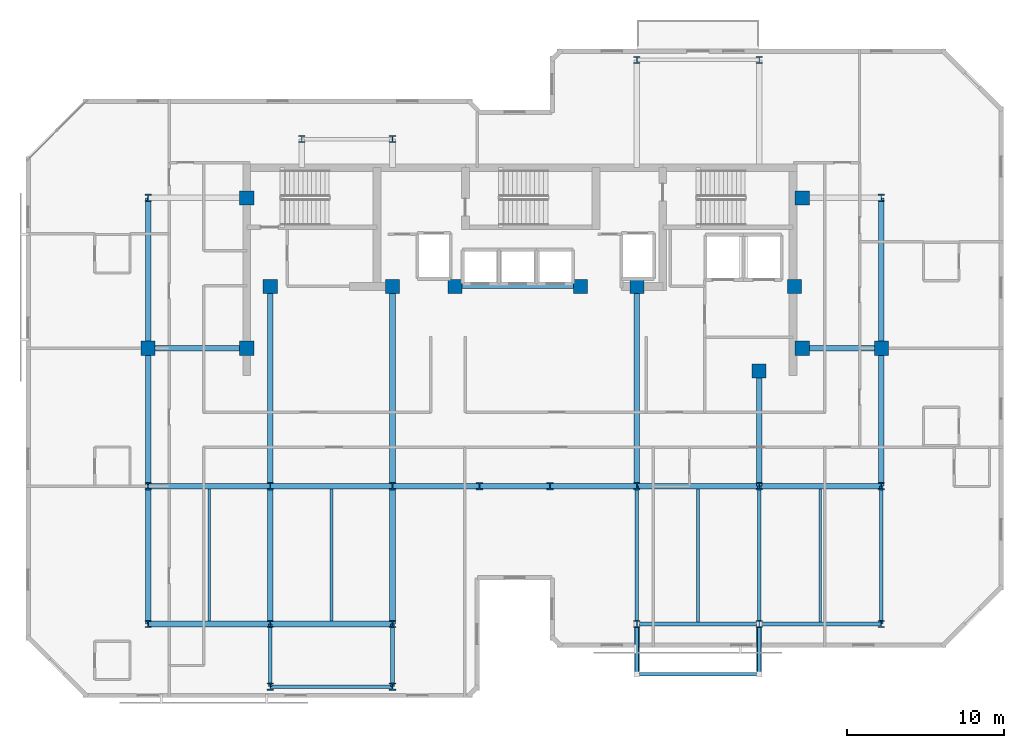
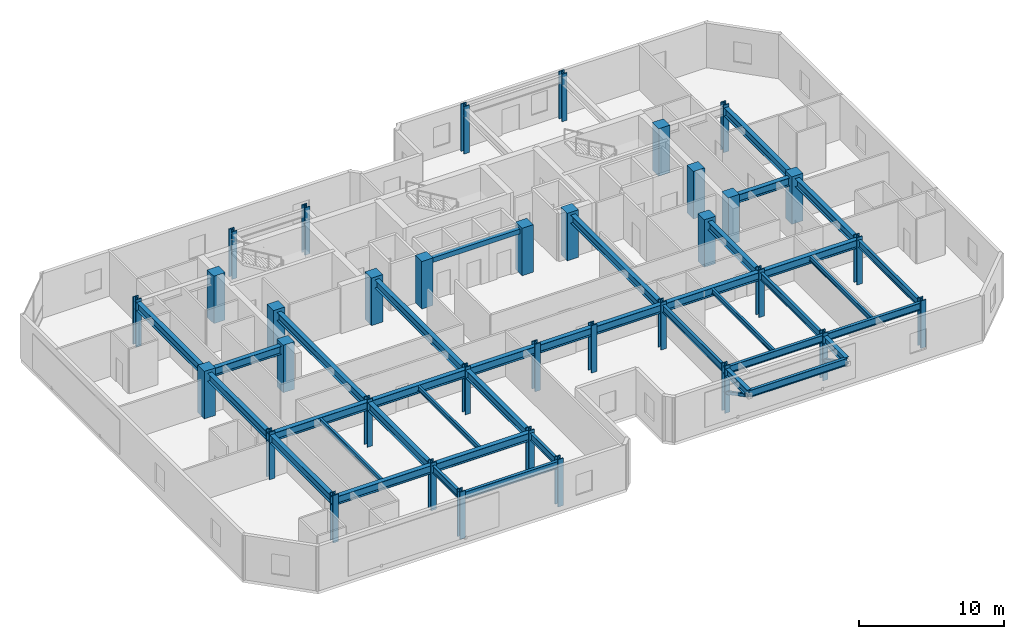
# One storey, part 1 of 10: 38 beams, 35 columns, 2 members.
"""IFC4 building model written with IfcOpenShell, lengths in metres."""

from ifc_helpers import new_model, si_unit, direction, frame, origin, origin_2d, place, context, subcontext, project, spatial, rectangle, hollow_rectangle, i_section, extrude, material, material_profile, profile_set, type_object, element, save


model = new_model("IFC4")

# Units and contexts
model_context = context("Model", 3, precision=1e-05, world=origin(), true_north=direction((0.0, 1.0)))
body_context = subcontext(model_context, "Body", "Model", "MODEL_VIEW")
ifc_project = project(units=[si_unit("LENGTHUNIT", "METRE"), si_unit("AREAUNIT", "SQUARE_METRE"), si_unit("VOLUMEUNIT", "CUBIC_METRE"), si_unit("PLANEANGLEUNIT", "RADIAN"), si_unit("MASSUNIT", "GRAM", prefix="KILO")], contexts=[model_context])

# Site, building, storey
site_placement = place(None, origin())
site = spatial("IfcSite", under=ifc_project, at=site_placement, CompositionType="ELEMENT")
building_placement = place(site_placement, origin())
building = spatial("IfcBuilding", under=site, at=building_placement, Name="Kestravale Grand Hotel", CompositionType="ELEMENT")
storey_placement = place(building_placement, frame((0.0, 0.0, 261.39990234375)))
storey = spatial("IfcBuildingStorey", under=building, at=storey_placement, Name="L65", CompositionType="ELEMENT", Elevation=261.39990234375)

# Columns
ifc_material_1 = material(Name="Concrete f'c 50 MPa", Category="concrete")
ifc_material_profile_1 = material_profile(ifc_material_1, rectangle(XDim=0.89990234375, YDim=0.89990234375, at=origin_2d()))
ifc_profile_set_1 = profile_set([ifc_material_profile_1], Name="Concrete f'c 50 MPa")
column_type_1 = type_object("IfcColumnType", Name="C-Z4-900", PredefinedType="COLUMN", material=ifc_profile_set_1)
for number, where, z_axis, x_axis, name in (
    (1, (15.60009765625, 28.800048828125, 0.0), (0.0, 0.0, 1.0), (1.0, 0.0, 0.0), "L65 column 3-E"),
    (2, (62.39990234375, 28.800048828125, 0.0), (0.0, 0.0, 1.0), (1.0, 0.0, 0.0), "L65 column 10-E"),
    (3, (21.89990234375, 28.800048828125, 0.0), (0.0, 0.0, 1.0), (1.0, 0.0, 0.0), "L65 column CW-E"),
    (4, (21.89990234375, 38.39990234375, 0.0), (0.0, 0.0, 1.0), (1.0, 0.0, 0.0), "L65 column CW-F"),
    (5, (57.35009765625, 28.800048828125, 0.0), (0.0, 0.0, 1.0), (1.0, 0.0, 0.0), "L65 column CE-E"),
    (6, (57.35009765625, 38.39990234375, 0.0), (0.0, 0.0, 1.0), (1.0, 0.0, 0.0), "L65 column CE-F"),
    (7, (23.39990234375, 32.75, 0.0), (0.0, 0.0, 1.0), (1.0, 0.0, 0.0), "L65 column 4-CS"),
    (8, (31.199951171875, 32.75, 0.0), (0.0, 0.0, 1.0), (1.0, 0.0, 0.0), "L65 column 5-CS"),
    (9, (35.199951171875, 32.75, 0.0), (0.0, 0.0, 1.0), (1.0, 0.0, 0.0), "L65 column 6C-CS"),
    (10, (43.199951171875, 32.75, 0.0), (0.0, 0.0, 1.0), (1.0, 0.0, 0.0), "L65 column 7C-CS"),
    (11, (46.800048828125, 32.75, 0.0), (0.0, 0.0, 1.0), (1.0, 0.0, 0.0), "L65 column 8-CS"),
    (12, (54.60009765625, 27.35009765625, 0.0), (0.0, 0.0, 1.0), (1.0, 0.0, 0.0), "L65 column 9-CS"),
    (13, (56.85009765625, 32.75, 0.0), (0.0, 0.0, 1.0), (1.0, 0.0, 0.0), "L65 column 9C-CS"),
):
    element("IfcColumn", number, at=place(storey_placement, frame(where, z_axis=z_axis, x_axis=x_axis)), inside=storey, type_object=column_type_1, Name=name, PredefinedType="COLUMN", context=body_context, shape_type="SweptSolid", body=[
        extrude(rectangle(XDim=0.89990234375, YDim=0.89990234375, at=origin_2d()), origin(), (0.0, 0.0, 1.0), 4.0),
    ])
ifc_material_2 = material(Name="Steel ASTM A992 Grade 50", Category="steel")
ifc_material_profile_2 = material_profile(ifc_material_2, i_section(OverallWidth=0.422119140625, OverallDepth=0.465087890625, WebThickness=0.044921875, FlangeThickness=0.072509765625, FilletRadius=0.0166015625, at=origin_2d()))
ifc_profile_set_2 = profile_set([ifc_material_profile_2], Name="Steel ASTM A992 Grade 50")
column_type_2 = type_object("IfcColumnType", Name="C-Z4-W14X398", PredefinedType="COLUMN", material=ifc_profile_set_2)
for number, where, z_axis, x_axis, name in (
    (14, (15.60009765625, 11.199951171875, 0.0), (0.0, 0.0, 1.0), (1.0, 0.0, 0.0), "L65 column 3-C"),
    (15, (15.60009765625, 20.0, 0.0), (0.0, 0.0, 1.0), (1.0, 0.0, 0.0), "L65 column 3-D"),
    (16, (15.60009765625, 38.39990234375, 0.0), (0.0, 0.0, 1.0), (1.0, 0.0, 0.0), "L65 column 3-F"),
    (17, (23.39990234375, 11.199951171875, 0.0), (0.0, 0.0, 1.0), (1.0, 0.0, 0.0), "L65 column 4-C"),
    (18, (23.39990234375, 20.0, 0.0), (0.0, 0.0, 1.0), (1.0, 0.0, 0.0), "L65 column 4-D"),
    (19, (31.199951171875, 11.199951171875, 0.0), (0.0, 0.0, 1.0), (1.0, 0.0, 0.0), "L65 column 5-C"),
    (20, (31.199951171875, 20.0, 0.0), (0.0, 0.0, 1.0), (1.0, 0.0, 0.0), "L65 column 5-D"),
    (21, (36.75, 20.0, 0.0), (0.0, 0.0, 1.0), (1.0, 0.0, 0.0), "L65 column 6-D"),
    (22, (41.25, 20.0, 0.0), (0.0, 0.0, 1.0), (1.0, 0.0, 0.0), "L65 column 7-D"),
    (23, (46.800048828125, 11.199951171875, 0.0), (0.0, 0.0, 1.0), (1.0, 0.0, 0.0), "L65 column 8-C"),
    (24, (46.800048828125, 20.0, 0.0), (0.0, 0.0, 1.0), (1.0, 0.0, 0.0), "L65 column 8-D"),
    (25, (46.800048828125, 47.199951171875, 0.0), (0.0, 0.0, 1.0), (1.0, 0.0, 0.0), "L65 column 8-G"),
    (26, (54.60009765625, 11.199951171875, 0.0), (0.0, 0.0, 1.0), (1.0, 0.0, 0.0), "L65 column 9-C"),
    (27, (54.60009765625, 20.0, 0.0), (0.0, 0.0, 1.0), (1.0, 0.0, 0.0), "L65 column 9-D"),
    (28, (54.60009765625, 47.199951171875, 0.0), (0.0, 0.0, 1.0), (1.0, 0.0, 0.0), "L65 column 9-G"),
    (29, (62.39990234375, 11.199951171875, 0.0), (0.0, 0.0, 1.0), (1.0, 0.0, 0.0), "L65 column 10-C"),
    (30, (62.39990234375, 20.0, 0.0), (0.0, 0.0, 1.0), (1.0, 0.0, 0.0), "L65 column 10-D"),
    (31, (62.39990234375, 38.39990234375, 0.0), (0.0, 0.0, 1.0), (1.0, 0.0, 0.0), "L65 column 10-F"),
    (32, (23.39990234375, 7.199951171875, 0.0), (0.0, 0.0, 1.0), (1.0, 0.0, 0.0), "L65 column 4-BS"),
    (33, (31.199951171875, 7.199951171875, 0.0), (0.0, 0.0, 1.0), (1.0, 0.0, 0.0), "L65 column 5-BS"),
    (34, (25.39990234375, 42.14990234375, 0.0), (0.0, 0.0, 1.0), (1.0, 0.0, 0.0), "L65 column 4-FN"),
    (35, (31.199951171875, 42.14990234375, 0.0), (0.0, 0.0, 1.0), (1.0, 0.0, 0.0), "L65 column 5-FN"),
):
    element("IfcColumn", number, at=place(storey_placement, frame(where, z_axis=z_axis, x_axis=x_axis)), inside=storey, type_object=column_type_2, Name=name, PredefinedType="COLUMN", context=body_context, shape_type="SweptSolid", body=[
        extrude(i_section(OverallWidth=0.422119140625, OverallDepth=0.465087890625, WebThickness=0.044921875, FlangeThickness=0.072509765625, FilletRadius=0.0166015625, at=origin_2d()), origin(), (0.0, 0.0, 1.0), 4.0),
    ])

# Beams
ifc_material_3 = material(Name="Steel ASTM A992 Grade 50", Category="steel")
ifc_material_profile_3 = material_profile(ifc_material_3, i_section(OverallWidth=0.177978515625, OverallDepth=0.404052734375, WebThickness=0.007568359375, FlangeThickness=0.010986328125, FilletRadius=0.01416015625, at=origin_2d()))
ifc_profile_set_3 = profile_set([ifc_material_profile_3], Name="Steel ASTM A992 Grade 50")
beam_type_1 = type_object("IfcBeamType", Name="B-FLR-JST16", PredefinedType="JOIST", material=ifc_profile_set_3)
for number, where, z_axis, x_axis, name in (
    (36, (19.5, 11.3779296875, 3.55810546875), (0.0, 1.0, 0.0), (-1.0, 0.0, 0.0), "L65 floor joist 3-4/C-D #1"),
    (37, (27.300048828125, 11.3779296875, 3.55810546875), (0.0, 1.0, 0.0), (-1.0, 0.0, 0.0), "L65 floor joist 4-5/C-D #1"),
):
    element("IfcBeam", number, at=place(storey_placement, frame(where, z_axis=z_axis, x_axis=x_axis)), inside=storey, type_object=beam_type_1, Name=name, PredefinedType="JOIST", context=body_context, shape_type="SweptSolid", body=[
        extrude(i_section(OverallWidth=0.177978515625, OverallDepth=0.404052734375, WebThickness=0.007568359375, FlangeThickness=0.010986328125, FilletRadius=0.01416015625, at=origin_2d()), origin(), (0.0, 0.0, 1.0), 8.444091796875),
    ])
for number, where, z_axis, x_axis, name in (
    (38, (50.699951171875, 11.314453125, 3.55810546875), (0.0, 1.0, 0.0), (-1.0, 0.0, 0.0), "L65 floor joist 8-9/C-D #1"),
    (39, (58.5, 11.314453125, 3.55810546875), (0.0, 1.0, 0.0), (-1.0, 0.0, 0.0), "L65 floor joist 9-10/C-D #1"),
):
    element("IfcBeam", number, at=place(storey_placement, frame(where, z_axis=z_axis, x_axis=x_axis)), inside=storey, type_object=beam_type_1, Name=name, PredefinedType="JOIST", context=body_context, shape_type="SweptSolid", body=[
        extrude(i_section(OverallWidth=0.177978515625, OverallDepth=0.404052734375, WebThickness=0.007568359375, FlangeThickness=0.010986328125, FilletRadius=0.01416015625, at=origin_2d()), origin(), (0.0, 0.0, 1.0), 8.507568359375),
    ])
ifc_material_4 = material(Name="Concrete f'c 45 MPa", Category="concrete")
ifc_material_profile_4 = material_profile(ifc_material_4, rectangle(XDim=0.300048828125, YDim=0.39990234375, at=origin_2d()))
ifc_profile_set_4 = profile_set([ifc_material_profile_4], Name="Concrete f'c 45 MPa")
beam_type_2 = type_object("IfcBeamType", Name="B-FLR-LNT400", PredefinedType="LINTEL", material=ifc_profile_set_4)
beam_1_placement = place(storey_placement, frame((35.199951171875, 32.75, 3.56005859375), z_axis=(1.0, 0.0, 0.0), x_axis=(0.0, 1.0, 0.0)))
element("IfcBeam", 40, at=beam_1_placement, inside=storey, type_object=beam_type_2, Name="L65 core portal header lintel", PredefinedType="LINTEL", context=body_context, shape_type="SweptSolid", body=[
    extrude(rectangle(XDim=0.300048828125, YDim=0.39990234375, at=origin_2d()), origin(), (0.0, 0.0, 1.0), 8.0),
])
ifc_material_5 = material(Name="Steel ASTM A992 Grade 50", Category="steel")
ifc_material_profile_5 = material_profile(ifc_material_5, i_section(OverallWidth=0.324951171875, OverallDepth=0.612060546875, WebThickness=0.0126953125, FlangeThickness=0.01904296875, FilletRadius=0.018798828125, at=origin_2d()))
ifc_profile_set_5 = profile_set([ifc_material_profile_5], Name="Steel ASTM A992 Grade 50")
beam_type_3 = type_object("IfcBeamType", Name="B-FLR-W24A", PredefinedType="SPANDREL", material=ifc_profile_set_5)
for number, where, z_axis, x_axis, name in (
    (41, (46.800048828125, 11.199951171875, 3.424072265625), (0.0, -1.0, 0.0), (1.0, 0.0, 0.0), "L66 terrace cantilever beam 1"),
    (42, (54.60009765625, 11.199951171875, 3.424072265625), (0.0, -1.0, 0.0), (1.0, 0.0, 0.0), "L66 terrace cantilever beam 2"),
):
    element("IfcBeam", number, at=place(storey_placement, frame(where, z_axis=z_axis, x_axis=x_axis)), inside=storey, type_object=beam_type_3, Name=name, PredefinedType="SPANDREL", context=body_context, shape_type="SweptSolid", body=[
        extrude(i_section(OverallWidth=0.324951171875, OverallDepth=0.612060546875, WebThickness=0.0126953125, FlangeThickness=0.01904296875, FilletRadius=0.018798828125, at=origin_2d()), origin(), (0.0, 0.0, 1.0), 3.199951171875),
    ])
ifc_material_6 = material(Name="Steel ASTM A992 Grade 50", Category="steel")
ifc_material_profile_6 = material_profile(ifc_material_6, i_section(OverallWidth=0.22900390625, OverallDepth=0.612060546875, WebThickness=0.011962890625, FlangeThickness=0.01953125, FilletRadius=0.019287109375, at=origin_2d()))
ifc_profile_set_6 = profile_set([ifc_material_profile_6], Name="Steel ASTM A992 Grade 50")
beam_type_4 = type_object("IfcBeamType", Name="B-FLR-W24B", PredefinedType="SPANDREL", material=ifc_profile_set_6)
beam_2_placement = place(storey_placement, frame((46.800048828125, 11.199951171875, 3.4541015625), z_axis=(1.0, 0.0, 0.0), x_axis=(0.0, 1.0, 0.0)))
element("IfcBeam", 43, at=beam_2_placement, inside=storey, type_object=beam_type_4, Name="L65 spandrel C:8-9", PredefinedType="SPANDREL", context=body_context, shape_type="SweptSolid", body=[
    extrude(i_section(OverallWidth=0.22900390625, OverallDepth=0.612060546875, WebThickness=0.011962890625, FlangeThickness=0.01953125, FilletRadius=0.019287109375, at=origin_2d()), origin(), (0.0, 0.0, 1.0), 7.800048828125),
])
beam_3_placement = place(storey_placement, frame((54.60009765625, 11.199951171875, 3.4541015625), z_axis=(1.0, 0.0, 0.0), x_axis=(0.0, 1.0, 0.0)))
element("IfcBeam", 44, at=beam_3_placement, inside=storey, type_object=beam_type_4, Name="L65 spandrel C:9-10", PredefinedType="SPANDREL", context=body_context, shape_type="SweptSolid", body=[
    extrude(i_section(OverallWidth=0.22900390625, OverallDepth=0.612060546875, WebThickness=0.011962890625, FlangeThickness=0.01953125, FilletRadius=0.019287109375, at=origin_2d()), origin(), (0.0, 0.0, 1.0), 7.7998046875),
])
beam_4_placement = place(storey_placement, frame((23.39990234375, 7.199951171875, 3.4541015625), z_axis=(1.0, 0.0, 0.0), x_axis=(0.0, 1.0, 0.0)))
element("IfcBeam", 45, at=beam_4_placement, inside=storey, type_object=beam_type_4, Name="L65 perimeter tie spandrel BS:4-5", PredefinedType="SPANDREL", context=body_context, shape_type="SweptSolid", body=[
    extrude(i_section(OverallWidth=0.22900390625, OverallDepth=0.612060546875, WebThickness=0.011962890625, FlangeThickness=0.01953125, FilletRadius=0.019287109375, at=origin_2d()), origin(), (0.0, 0.0, 1.0), 7.800048828125),
])
for number, where, z_axis, x_axis, name in (
    (46, (23.39990234375, 7.199951171875, 3.4541015625), (0.0, 1.0, 0.0), (-1.0, 0.0, 0.0), "L65 spandrel 4:BS-C"),
    (47, (31.199951171875, 7.199951171875, 3.4541015625), (0.0, 1.0, 0.0), (-1.0, 0.0, 0.0), "L65 spandrel 5:BS-C"),
):
    element("IfcBeam", number, at=place(storey_placement, frame(where, z_axis=z_axis, x_axis=x_axis)), inside=storey, type_object=beam_type_4, Name=name, PredefinedType="SPANDREL", context=body_context, shape_type="SweptSolid", body=[
        extrude(i_section(OverallWidth=0.22900390625, OverallDepth=0.612060546875, WebThickness=0.011962890625, FlangeThickness=0.01953125, FilletRadius=0.019287109375, at=origin_2d()), origin(), (0.0, 0.0, 1.0), 4.0),
    ])
for number, where, z_axis, x_axis, name in (
    (48, (46.800048828125, 11.199951171875, 3.4541015625), (0.0, 1.0, 0.0), (-1.0, 0.0, 0.0), "L65 spandrel 8:C-D"),
    (49, (54.60009765625, 11.199951171875, 3.4541015625), (0.0, 1.0, 0.0), (-1.0, 0.0, 0.0), "L65 spandrel 9:C-D"),
    (50, (62.39990234375, 11.199951171875, 3.4541015625), (0.0, 1.0, 0.0), (-1.0, 0.0, 0.0), "L65 spandrel 10:C-D"),
):
    element("IfcBeam", number, at=place(storey_placement, frame(where, z_axis=z_axis, x_axis=x_axis)), inside=storey, type_object=beam_type_4, Name=name, PredefinedType="SPANDREL", context=body_context, shape_type="SweptSolid", body=[
        extrude(i_section(OverallWidth=0.22900390625, OverallDepth=0.612060546875, WebThickness=0.011962890625, FlangeThickness=0.01953125, FilletRadius=0.019287109375, at=origin_2d()), origin(), (0.0, 0.0, 1.0), 8.800048828125),
    ])
beam_5_placement = place(storey_placement, frame((46.800048828125, 8.0, 3.424072265625), z_axis=(1.0, 0.0, 0.0), x_axis=(0.0, 1.0, 0.0)))
element("IfcBeam", 51, at=beam_5_placement, inside=storey, type_object=beam_type_4, Name="L66 terrace edge spandrel", PredefinedType="SPANDREL", context=body_context, shape_type="SweptSolid", body=[
    extrude(i_section(OverallWidth=0.22900390625, OverallDepth=0.612060546875, WebThickness=0.011962890625, FlangeThickness=0.01953125, FilletRadius=0.019287109375, at=origin_2d()), origin(), (0.0, 0.0, 1.0), 7.800048828125),
])
ifc_material_7 = material(Name="Steel ASTM A992 Grade 50", Category="steel")
ifc_material_profile_7 = material_profile(ifc_material_7, i_section(OverallWidth=0.35595703125, OverallDepth=0.696044921875, WebThickness=0.015380859375, FlangeThickness=0.02490234375, FilletRadius=0.021240234375, at=origin_2d()))
ifc_profile_set_7 = profile_set([ifc_material_profile_7], Name="Steel ASTM A992 Grade 50")
beam_type_5 = type_object("IfcBeamType", Name="B-GRD-W27", PredefinedType="BEAM", material=ifc_profile_set_7)
beam_6_placement = place(storey_placement, frame((15.60009765625, 11.199951171875, 3.412109375), z_axis=(1.0, 0.0, 0.0), x_axis=(0.0, 1.0, 0.0)))
element("IfcBeam", 52, at=beam_6_placement, inside=storey, type_object=beam_type_5, Name="L65 girder C:3-4", PredefinedType="BEAM", context=body_context, shape_type="SweptSolid", body=[
    extrude(i_section(OverallWidth=0.35595703125, OverallDepth=0.696044921875, WebThickness=0.015380859375, FlangeThickness=0.02490234375, FilletRadius=0.021240234375, at=origin_2d()), origin(), (0.0, 0.0, 1.0), 7.7998046875),
])
beam_7_placement = place(storey_placement, frame((23.39990234375, 11.199951171875, 3.412109375), z_axis=(1.0, 0.0, 0.0), x_axis=(0.0, 1.0, 0.0)))
element("IfcBeam", 53, at=beam_7_placement, inside=storey, type_object=beam_type_5, Name="L65 girder C:4-5", PredefinedType="BEAM", context=body_context, shape_type="SweptSolid", body=[
    extrude(i_section(OverallWidth=0.35595703125, OverallDepth=0.696044921875, WebThickness=0.015380859375, FlangeThickness=0.02490234375, FilletRadius=0.021240234375, at=origin_2d()), origin(), (0.0, 0.0, 1.0), 7.800048828125),
])
beam_8_placement = place(storey_placement, frame((15.60009765625, 20.0, 3.412109375), z_axis=(1.0, 0.0, 0.0), x_axis=(0.0, 1.0, 0.0)))
element("IfcBeam", 54, at=beam_8_placement, inside=storey, type_object=beam_type_5, Name="L65 girder D:3-4", PredefinedType="BEAM", context=body_context, shape_type="SweptSolid", body=[
    extrude(i_section(OverallWidth=0.35595703125, OverallDepth=0.696044921875, WebThickness=0.015380859375, FlangeThickness=0.02490234375, FilletRadius=0.021240234375, at=origin_2d()), origin(), (0.0, 0.0, 1.0), 7.7998046875),
])
beam_9_placement = place(storey_placement, frame((23.39990234375, 20.0, 3.412109375), z_axis=(1.0, 0.0, 0.0), x_axis=(0.0, 1.0, 0.0)))
element("IfcBeam", 55, at=beam_9_placement, inside=storey, type_object=beam_type_5, Name="L65 girder D:4-5", PredefinedType="BEAM", context=body_context, shape_type="SweptSolid", body=[
    extrude(i_section(OverallWidth=0.35595703125, OverallDepth=0.696044921875, WebThickness=0.015380859375, FlangeThickness=0.02490234375, FilletRadius=0.021240234375, at=origin_2d()), origin(), (0.0, 0.0, 1.0), 7.800048828125),
])
beam_10_placement = place(storey_placement, frame((31.199951171875, 20.0, 3.412109375), z_axis=(1.0, 0.0, 0.0), x_axis=(0.0, 1.0, 0.0)))
element("IfcBeam", 56, at=beam_10_placement, inside=storey, type_object=beam_type_5, Name="L65 girder D:5-6", PredefinedType="BEAM", context=body_context, shape_type="SweptSolid", body=[
    extrude(i_section(OverallWidth=0.35595703125, OverallDepth=0.696044921875, WebThickness=0.015380859375, FlangeThickness=0.02490234375, FilletRadius=0.021240234375, at=origin_2d()), origin(), (0.0, 0.0, 1.0), 5.550048828125),
])
beam_11_placement = place(storey_placement, frame((36.75, 20.0, 3.412109375), z_axis=(1.0, 0.0, 0.0), x_axis=(0.0, 1.0, 0.0)))
element("IfcBeam", 57, at=beam_11_placement, inside=storey, type_object=beam_type_5, Name="L65 girder D:6-7", PredefinedType="BEAM", context=body_context, shape_type="SweptSolid", body=[
    extrude(i_section(OverallWidth=0.35595703125, OverallDepth=0.696044921875, WebThickness=0.015380859375, FlangeThickness=0.02490234375, FilletRadius=0.021240234375, at=origin_2d()), origin(), (0.0, 0.0, 1.0), 4.5),
])
beam_12_placement = place(storey_placement, frame((41.25, 20.0, 3.412109375), z_axis=(1.0, 0.0, 0.0), x_axis=(0.0, 1.0, 0.0)))
element("IfcBeam", 58, at=beam_12_placement, inside=storey, type_object=beam_type_5, Name="L65 girder D:7-8", PredefinedType="BEAM", context=body_context, shape_type="SweptSolid", body=[
    extrude(i_section(OverallWidth=0.35595703125, OverallDepth=0.696044921875, WebThickness=0.015380859375, FlangeThickness=0.02490234375, FilletRadius=0.021240234375, at=origin_2d()), origin(), (0.0, 0.0, 1.0), 5.550048828125),
])
beam_13_placement = place(storey_placement, frame((46.800048828125, 20.0, 3.412109375), z_axis=(1.0, 0.0, 0.0), x_axis=(0.0, 1.0, 0.0)))
element("IfcBeam", 59, at=beam_13_placement, inside=storey, type_object=beam_type_5, Name="L65 girder D:8-9", PredefinedType="BEAM", context=body_context, shape_type="SweptSolid", body=[
    extrude(i_section(OverallWidth=0.35595703125, OverallDepth=0.696044921875, WebThickness=0.015380859375, FlangeThickness=0.02490234375, FilletRadius=0.021240234375, at=origin_2d()), origin(), (0.0, 0.0, 1.0), 7.800048828125),
])
beam_14_placement = place(storey_placement, frame((54.60009765625, 20.0, 3.412109375), z_axis=(1.0, 0.0, 0.0), x_axis=(0.0, 1.0, 0.0)))
element("IfcBeam", 60, at=beam_14_placement, inside=storey, type_object=beam_type_5, Name="L65 girder D:9-10", PredefinedType="BEAM", context=body_context, shape_type="SweptSolid", body=[
    extrude(i_section(OverallWidth=0.35595703125, OverallDepth=0.696044921875, WebThickness=0.015380859375, FlangeThickness=0.02490234375, FilletRadius=0.021240234375, at=origin_2d()), origin(), (0.0, 0.0, 1.0), 7.7998046875),
])
beam_15_placement = place(storey_placement, frame((15.60009765625, 28.800048828125, 3.412109375), z_axis=(1.0, 0.0, 0.0), x_axis=(0.0, 1.0, 0.0)))
element("IfcBeam", 61, at=beam_15_placement, inside=storey, type_object=beam_type_5, Name="L65 girder E:3-CW", PredefinedType="BEAM", context=body_context, shape_type="SweptSolid", body=[
    extrude(i_section(OverallWidth=0.35595703125, OverallDepth=0.696044921875, WebThickness=0.015380859375, FlangeThickness=0.02490234375, FilletRadius=0.021240234375, at=origin_2d()), origin(), (0.0, 0.0, 1.0), 6.2998046875),
])
beam_16_placement = place(storey_placement, frame((57.35009765625, 28.800048828125, 3.412109375), z_axis=(1.0, 0.0, 0.0), x_axis=(0.0, 1.0, 0.0)))
element("IfcBeam", 62, at=beam_16_placement, inside=storey, type_object=beam_type_5, Name="L65 girder E:CE-10", PredefinedType="BEAM", context=body_context, shape_type="SweptSolid", body=[
    extrude(i_section(OverallWidth=0.35595703125, OverallDepth=0.696044921875, WebThickness=0.015380859375, FlangeThickness=0.02490234375, FilletRadius=0.021240234375, at=origin_2d()), origin(), (0.0, 0.0, 1.0), 5.0498046875),
])
for number, where, z_axis, x_axis, name in (
    (63, (15.60009765625, 11.199951171875, 3.412109375), (0.0, 1.0, 0.0), (-1.0, 0.0, 0.0), "L65 girder 3:C-D"),
    (64, (15.60009765625, 20.0, 3.412109375), (0.0, 1.0, 0.0), (-1.0, 0.0, 0.0), "L65 girder 3:D-E"),
):
    element("IfcBeam", number, at=place(storey_placement, frame(where, z_axis=z_axis, x_axis=x_axis)), inside=storey, type_object=beam_type_5, Name=name, PredefinedType="BEAM", context=body_context, shape_type="SweptSolid", body=[
        extrude(i_section(OverallWidth=0.35595703125, OverallDepth=0.696044921875, WebThickness=0.015380859375, FlangeThickness=0.02490234375, FilletRadius=0.021240234375, at=origin_2d()), origin(), (0.0, 0.0, 1.0), 8.800048828125),
    ])
beam_17_placement = place(storey_placement, frame((15.60009765625, 28.800048828125, 3.412109375), z_axis=(0.0, 1.0, 0.0), x_axis=(-1.0, 0.0, 0.0)))
element("IfcBeam", 65, at=beam_17_placement, inside=storey, type_object=beam_type_5, Name="L65 girder 3:E-F", PredefinedType="BEAM", context=body_context, shape_type="SweptSolid", body=[
    extrude(i_section(OverallWidth=0.35595703125, OverallDepth=0.696044921875, WebThickness=0.015380859375, FlangeThickness=0.02490234375, FilletRadius=0.021240234375, at=origin_2d()), origin(), (0.0, 0.0, 1.0), 9.599853515625),
])
beam_18_placement = place(storey_placement, frame((23.39990234375, 11.199951171875, 3.412109375), z_axis=(0.0, 1.0, 0.0), x_axis=(-1.0, 0.0, 0.0)))
element("IfcBeam", 66, at=beam_18_placement, inside=storey, type_object=beam_type_5, Name="L65 girder 4:C-D", PredefinedType="BEAM", context=body_context, shape_type="SweptSolid", body=[
    extrude(i_section(OverallWidth=0.35595703125, OverallDepth=0.696044921875, WebThickness=0.015380859375, FlangeThickness=0.02490234375, FilletRadius=0.021240234375, at=origin_2d()), origin(), (0.0, 0.0, 1.0), 8.800048828125),
])
beam_19_placement = place(storey_placement, frame((23.39990234375, 20.0, 3.412109375), z_axis=(0.0, 1.0, 0.0), x_axis=(-1.0, 0.0, 0.0)))
element("IfcBeam", 67, at=beam_19_placement, inside=storey, type_object=beam_type_5, Name="L65 girder 4:D-CS", PredefinedType="BEAM", context=body_context, shape_type="SweptSolid", body=[
    extrude(i_section(OverallWidth=0.35595703125, OverallDepth=0.696044921875, WebThickness=0.015380859375, FlangeThickness=0.02490234375, FilletRadius=0.021240234375, at=origin_2d()), origin(), (0.0, 0.0, 1.0), 12.75),
])
beam_20_placement = place(storey_placement, frame((31.199951171875, 11.199951171875, 3.412109375), z_axis=(0.0, 1.0, 0.0), x_axis=(-1.0, 0.0, 0.0)))
element("IfcBeam", 68, at=beam_20_placement, inside=storey, type_object=beam_type_5, Name="L65 girder 5:C-D", PredefinedType="BEAM", context=body_context, shape_type="SweptSolid", body=[
    extrude(i_section(OverallWidth=0.35595703125, OverallDepth=0.696044921875, WebThickness=0.015380859375, FlangeThickness=0.02490234375, FilletRadius=0.021240234375, at=origin_2d()), origin(), (0.0, 0.0, 1.0), 8.800048828125),
])
for number, where, z_axis, x_axis, name in (
    (69, (31.199951171875, 20.0, 3.412109375), (0.0, 1.0, 0.0), (-1.0, 0.0, 0.0), "L65 girder 5:D-CS"),
    (70, (46.800048828125, 20.0, 3.412109375), (0.0, 1.0, 0.0), (-1.0, 0.0, 0.0), "L65 girder 8:D-CS"),
):
    element("IfcBeam", number, at=place(storey_placement, frame(where, z_axis=z_axis, x_axis=x_axis)), inside=storey, type_object=beam_type_5, Name=name, PredefinedType="BEAM", context=body_context, shape_type="SweptSolid", body=[
        extrude(i_section(OverallWidth=0.35595703125, OverallDepth=0.696044921875, WebThickness=0.015380859375, FlangeThickness=0.02490234375, FilletRadius=0.021240234375, at=origin_2d()), origin(), (0.0, 0.0, 1.0), 12.75),
    ])
beam_21_placement = place(storey_placement, frame((54.60009765625, 20.0, 3.412109375), z_axis=(0.0, 1.0, 0.0), x_axis=(-1.0, 0.0, 0.0)))
element("IfcBeam", 71, at=beam_21_placement, inside=storey, type_object=beam_type_5, Name="L65 girder 9:D-CS", PredefinedType="BEAM", context=body_context, shape_type="SweptSolid", body=[
    extrude(i_section(OverallWidth=0.35595703125, OverallDepth=0.696044921875, WebThickness=0.015380859375, FlangeThickness=0.02490234375, FilletRadius=0.021240234375, at=origin_2d()), origin(), (0.0, 0.0, 1.0), 7.35009765625),
])
beam_22_placement = place(storey_placement, frame((62.39990234375, 20.0, 3.412109375), z_axis=(0.0, 1.0, 0.0), x_axis=(-1.0, 0.0, 0.0)))
element("IfcBeam", 72, at=beam_22_placement, inside=storey, type_object=beam_type_5, Name="L65 girder 10:D-E", PredefinedType="BEAM", context=body_context, shape_type="SweptSolid", body=[
    extrude(i_section(OverallWidth=0.35595703125, OverallDepth=0.696044921875, WebThickness=0.015380859375, FlangeThickness=0.02490234375, FilletRadius=0.021240234375, at=origin_2d()), origin(), (0.0, 0.0, 1.0), 8.800048828125),
])
beam_23_placement = place(storey_placement, frame((62.39990234375, 28.800048828125, 3.412109375), z_axis=(0.0, 1.0, 0.0), x_axis=(-1.0, 0.0, 0.0)))
element("IfcBeam", 73, at=beam_23_placement, inside=storey, type_object=beam_type_5, Name="L65 girder 10:E-F", PredefinedType="BEAM", context=body_context, shape_type="SweptSolid", body=[
    extrude(i_section(OverallWidth=0.35595703125, OverallDepth=0.696044921875, WebThickness=0.015380859375, FlangeThickness=0.02490234375, FilletRadius=0.021240234375, at=origin_2d()), origin(), (0.0, 0.0, 1.0), 9.599853515625),
])

# Members
ifc_material_8 = material(Name="Steel ASTM A500 Grade C", Category="steel")
ifc_material_profile_8 = material_profile(ifc_material_8, hollow_rectangle(XDim=0.25, YDim=0.25, WallThickness=0.011962890625, InnerFilletRadius=0.011962890625, OuterFilletRadius=0.02392578125, at=origin_2d()))
ifc_profile_set_8 = profile_set([ifc_material_profile_8], Name="Steel ASTM A500 Grade C")
member_type = type_object("IfcMemberType", Name="M-BLT-STR250", PredefinedType="STRUT", material=ifc_profile_set_8)
for number, where, z_axis, x_axis, name in (
    (74, (46.800048828125, 11.199951171875, 1.57421875), (0.0, -0.883118336548, 0.46915029964), (1.0, 0.0, 0.0), "L66 terrace knee-brace strut 1"),
    (75, (54.60009765625, 11.199951171875, 1.57421875), (0.0, -0.883118336548, 0.46915029964), (1.0, 0.0, 0.0), "L66 terrace knee-brace strut 2"),
):
    element("IfcMember", number, at=place(storey_placement, frame(where, z_axis=z_axis, x_axis=x_axis)), inside=storey, type_object=member_type, Name=name, PredefinedType="STRUT", context=body_context, shape_type="SweptSolid", body=[
        extrude(hollow_rectangle(XDim=0.25, YDim=0.25, WallThickness=0.011962890625, InnerFilletRadius=0.011962890625, OuterFilletRadius=0.02392578125, at=origin_2d()), origin(), (0.0, 0.0, 1.0), 3.62353515625),
    ])

save(model, "model.ifc")
